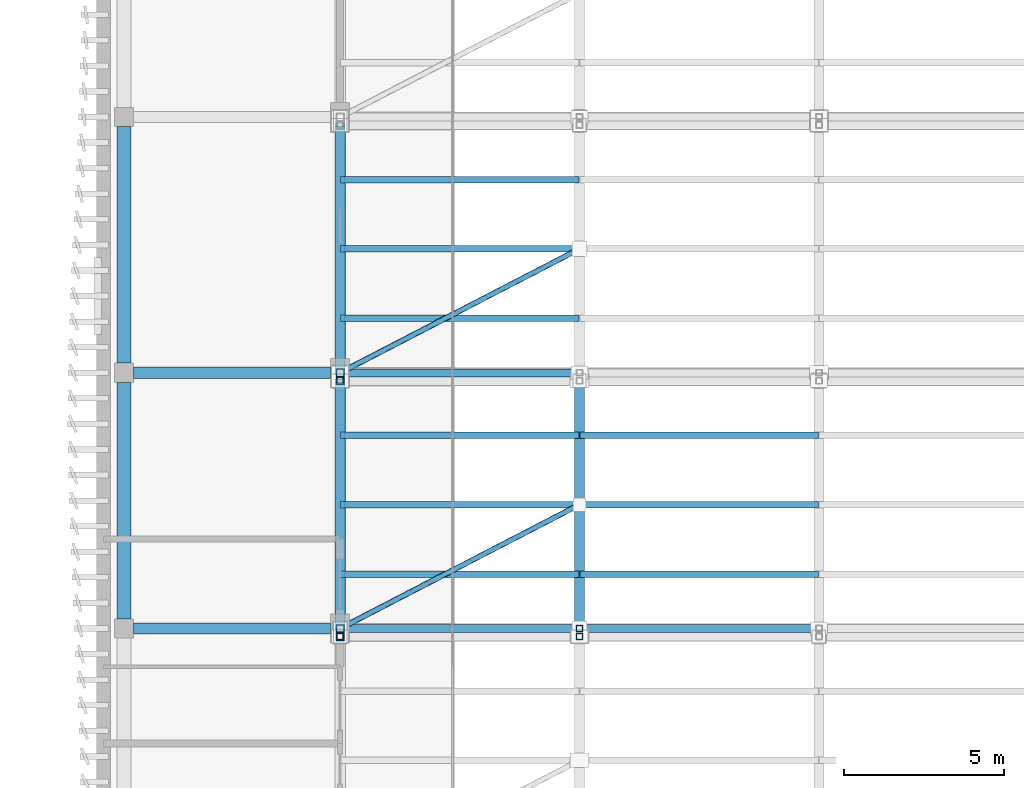
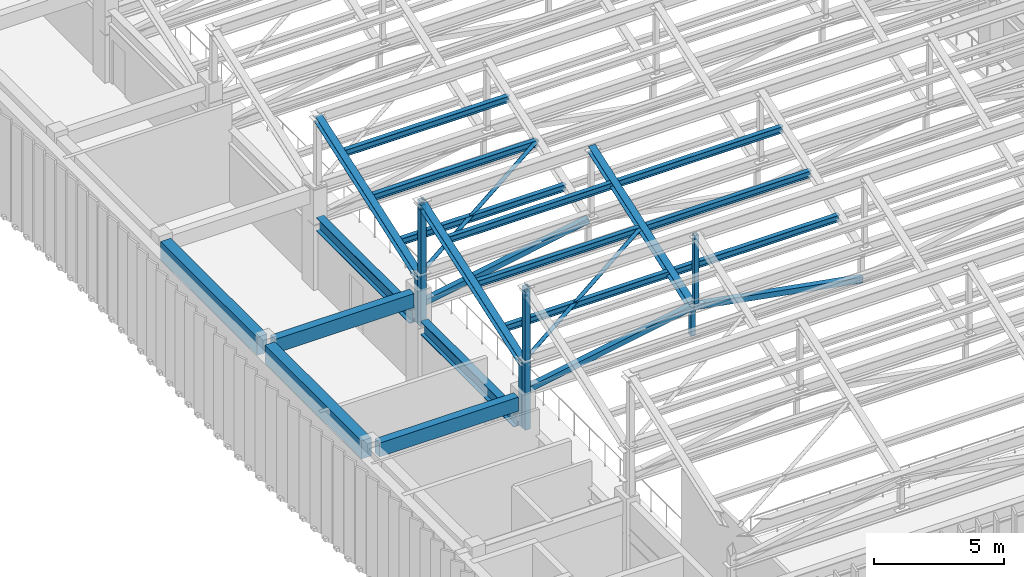
# One storey, part 5 of 76: 25 members, 6 beams.
"""IFC4 building model written with IfcOpenShell, lengths in metres."""

import ifcopenshell
import ifcopenshell.guid

model = None  # the IFC model being written
_history = None  # IfcOwnerHistory: only IFC2X3 demands one
_inside = {}  # id of a spatial element -> (the spatial element, [elements in it])
_under = {}  # id of a project, library or spatial element -> (it, [spatial elements below it])
_declared = {}  # id of a project -> (the project, [libraries it declares])
_typed = {}  # id of a type object -> (the type object, [elements of that type])
_made_of = {}  # id of a material, layer set ... -> (it, [elements and type objects made of it])


def new_model(schema):
    """Start an empty IFC model of exactly this schema.

    Asked for "IFC4X3", IfcOpenShell would pick the latest addendum, in which some entities
    have other attributes; the version numbers below select the first issue.
    IFC2X3 requires an IfcOwnerHistory on every rooted entity: one is made here for all.
    """
    global model, _history
    if schema == "IFC4X3":
        model = ifcopenshell.file(schema_version=(4, 3, 0, 0))
    else:
        model = ifcopenshell.file(schema=schema)
    _inside.clear()
    _under.clear()
    _declared.clear()
    _typed.clear()
    _made_of.clear()
    _history = None
    if model.schema == "IFC2X3":
        org = make("IfcOrganization", Name="unknown")
        user = make(
            "IfcPersonAndOrganization",
            ThePerson=make("IfcPerson", FamilyName="unknown"),
            TheOrganization=org,
        )
        app = make(
            "IfcApplication",
            ApplicationDeveloper=org,
            Version="unknown",
            ApplicationFullName="unknown",
            ApplicationIdentifier="unknown",
        )
        _history = make(
            "IfcOwnerHistory",
            OwningUser=user,
            OwningApplication=app,
            ChangeAction="ADDED",
            CreationDate=0,
        )
    return model


def make(cls, **values):
    """One entity of the class cls with the attributes given. An attribute that is None is left unset."""
    return model.create_entity(
        cls, **{name: value for name, value in values.items() if value is not None}
    )


def rooted(cls, **values):
    """An entity with a GlobalId (a new one), such as an element, a storey or a relation."""
    return make(cls, GlobalId=ifcopenshell.guid.new(), OwnerHistory=_history, **values)


def si_unit(unit_type, name, prefix=None):
    """IfcSIUnit, for example si_unit("LENGTHUNIT", "METRE", prefix="MILLI")."""
    return make("IfcSIUnit", UnitType=unit_type, Prefix=prefix, Name=name)


def assignment(units):
    """IfcUnitAssignment: the units of a project."""
    return None if units is None else make("IfcUnitAssignment", Units=units)


def point(xyz):
    """IfcCartesianPoint."""
    return None if xyz is None else make("IfcCartesianPoint", Coordinates=xyz)


def direction(xyz):
    """IfcDirection."""
    return None if xyz is None else make("IfcDirection", DirectionRatios=xyz)


def frame(location, z_axis=None, x_axis=None):
    """IfcAxis2Placement3D, a coordinate frame: its origin and axes. An axis left out is left unset."""
    return make(
        "IfcAxis2Placement3D",
        Location=point(location),
        Axis=direction(z_axis),
        RefDirection=direction(x_axis),
    )


def frame_2d(location, x_axis=None):
    """IfcAxis2Placement2D, a coordinate frame in the plane: its origin and x axis."""
    return make(
        "IfcAxis2Placement2D", Location=point(location), RefDirection=direction(x_axis)
    )


def origin():
    """The frame at (0, 0, 0) with its axes left unset."""
    return frame((0.0, 0.0, 0.0))


def origin_2d():
    """The frame at (0, 0) in the plane with its x axis left unset."""
    return frame_2d((0.0, 0.0))


def place(relative_to, where):
    """IfcLocalPlacement: puts the frame where relative to a parent placement (None: the world)."""
    return make(
        "IfcLocalPlacement", PlacementRelTo=relative_to, RelativePlacement=where
    )


def context(
    kind, dimensions, precision=None, world=None, true_north=None, identifier=None
):
    """IfcGeometricRepresentationContext, for example the 3D "Model" context."""
    return make(
        "IfcGeometricRepresentationContext",
        ContextIdentifier=identifier,
        ContextType=kind,
        CoordinateSpaceDimension=dimensions,
        Precision=precision,
        WorldCoordinateSystem=world,
        TrueNorth=true_north,
    )


def subcontext(parent, identifier, kind, view, scale=None):
    """IfcGeometricRepresentationSubContext, for example "Body" below "Model"."""
    return make(
        "IfcGeometricRepresentationSubContext",
        ContextIdentifier=identifier,
        ContextType=kind,
        ParentContext=parent,
        TargetScale=scale,
        TargetView=view,
    )


def project(units=None, contexts=None):
    """IfcProject with its units and contexts."""
    return rooted(
        "IfcProject",
        Name="project",
        RepresentationContexts=contexts,
        UnitsInContext=assignment(units),
    )


def spatial(cls, under=None, at=None, **own):
    """A site, building, storey or space (cls), placed at a placement, below another one or the project."""
    s = rooted(cls, ObjectPlacement=at, **own)
    if under is not None:
        _under.setdefault(under.id(), (under, []))[1].append(s)
    return s


def profile(cls, at=None, kind="AREA", **sizes):
    """A parametric profile (cls). Its sizes go by their IFC names, for example OverallWidth=200.0."""
    return make(cls, ProfileType=kind, Position=at, **sizes)


def rectangle(**sizes):
    """IfcRectangleProfileDef."""
    return profile("IfcRectangleProfileDef", **sizes)


def hollow_rectangle(**sizes):
    """IfcRectangleHollowProfileDef."""
    return profile("IfcRectangleHollowProfileDef", **sizes)


def hollow_circle(**sizes):
    """IfcCircleHollowProfileDef."""
    return profile("IfcCircleHollowProfileDef", **sizes)


def i_section(**sizes):
    """IfcIShapeProfileDef."""
    return profile("IfcIShapeProfileDef", **sizes)


def extrude(swept, where, along, depth):
    """IfcExtrudedAreaSolid: the profile swept, set in the frame where, extruded along a direction by depth."""
    return make(
        "IfcExtrudedAreaSolid",
        SweptArea=swept,
        Position=where,
        ExtrudedDirection=direction(along),
        Depth=depth,
    )


def shape(context_of_items, identifier, shape_type, items):
    """IfcShapeRepresentation: the items that make up one representation, for example the "Body"."""
    return make(
        "IfcShapeRepresentation",
        ContextOfItems=context_of_items,
        RepresentationIdentifier=identifier,
        RepresentationType=shape_type,
        Items=items,
    )


def material(Name=None, Category=None):
    """IfcMaterial."""
    return make("IfcMaterial", Name=Name, Category=Category)


def material_profile(
    of_material, cross_section, Name=None, Category=None, Priority=None
):
    """IfcMaterialProfile: a cross section and its material."""
    return make(
        "IfcMaterialProfile",
        Name=Name,
        Material=of_material,
        Profile=cross_section,
        Priority=Priority,
        Category=Category,
    )


def profile_set(profiles, Name=None, composite=None):
    """IfcMaterialProfileSet."""
    return make(
        "IfcMaterialProfileSet",
        Name=Name,
        MaterialProfiles=profiles,
        CompositeProfile=composite,
    )


def made_of(thing, what):
    """Note that an element or type object is made of a material, layer set ...; save() writes the relation."""
    if what is not None:
        _made_of.setdefault(what.id(), (what, []))[1].append(thing)
    return thing


def type_object(cls, material=None, **own):
    """A type object (cls), such as IfcWallType, which elements share."""
    return made_of(rooted(cls, **own), material)


def element(
    cls,
    number,
    at=None,
    inside=None,
    cuts=None,
    type_object=None,
    material=None,
    context=None,
    identifier="Body",
    shape_type=None,
    held_by="IfcProductDefinitionShape",
    body=None,
    shapes=None,
    **own,
):
    """One element of the class cls, such as IfcWall. Its Tag is "e" and its number.

    at: its placement. inside: the storey or other place that contains it. cuts: it is an
    opening in that element (IfcRelVoidsElement). A single representation is given by context,
    identifier, shape_type and body (its items); several are given by shapes. held_by: the class
    of the entity that holds the representations. save() writes the other relations.
    """
    e = rooted(cls, Tag="e%d" % number, ObjectPlacement=at, **own)
    if body is not None:
        shapes = [shape(context, identifier, shape_type, body)]
    if shapes is not None:
        e.Representation = make(held_by, Representations=shapes)
    if inside is not None:
        _inside.setdefault(inside.id(), (inside, []))[1].append(e)
    if cuts is not None:
        rooted(
            "IfcRelVoidsElement", RelatingBuildingElement=cuts, RelatedOpeningElement=e
        )
    if type_object is not None:
        _typed.setdefault(type_object.id(), (type_object, []))[1].append(e)
    return made_of(e, material)


def aggregate(whole, parts):
    """IfcRelAggregates: a whole, such as a stair, and the parts it consists of."""
    return rooted("IfcRelAggregates", RelatingObject=whole, RelatedObjects=parts)


def save(model, path):
    """Write the relations noted so far, then the file.

    IfcRelAggregates (storeys below a building ...), IfcRelContainedInSpatialStructure (elements
    in a storey), IfcRelDefinesByType, IfcRelAssociatesMaterial and IfcRelDeclares: one each for
    every whole, place, type object, material and project.
    """
    for whole, parts in _under.values():
        aggregate(whole, parts)
    for where, things in _inside.values():
        rooted(
            "IfcRelContainedInSpatialStructure",
            RelatedElements=things,
            RelatingStructure=where,
        )
    for kind, things in _typed.values():
        rooted("IfcRelDefinesByType", RelatedObjects=things, RelatingType=kind)
    for what, things in _made_of.values():
        rooted("IfcRelAssociatesMaterial", RelatedObjects=things, RelatingMaterial=what)
    for by, libraries in _declared.values():
        rooted("IfcRelDeclares", RelatingContext=by, RelatedDefinitions=libraries)
    model.write(path)


model = new_model("IFC4")

# Units and contexts
model_context = context("Model", 3, precision=1e-05, world=origin(), true_north=direction((0.0, 1.0)))
body_context = subcontext(model_context, "Body", "Model", "MODEL_VIEW")
ifc_project = project(units=[si_unit("LENGTHUNIT", "METRE"), si_unit("AREAUNIT", "SQUARE_METRE"), si_unit("VOLUMEUNIT", "CUBIC_METRE"), si_unit("PLANEANGLEUNIT", "RADIAN"), si_unit("MASSUNIT", "GRAM", prefix="KILO")], contexts=[model_context])

# Site, building, storey
site_placement = place(None, origin())
site = spatial("IfcSite", under=ifc_project, at=site_placement, CompositionType="ELEMENT")
building_placement = place(site_placement, origin())
building = spatial("IfcBuilding", under=site, at=building_placement, Name="Cinchona Park Media Centre", CompositionType="ELEMENT")
storey_placement = place(building_placement, frame((0.0, 0.0, 15.60009765625)))
storey = spatial("IfcBuildingStorey", under=building, at=storey_placement, Name="L03", CompositionType="ELEMENT", Elevation=15.60009765625)

# Beams
ifc_material_1 = material(Name="Concrete C35/45", Category="concrete")
ifc_material_profile_1 = material_profile(ifc_material_1, rectangle(XDim=0.449951171875, YDim=0.85009765625, at=origin_2d()), Name="RB 450X850")
ifc_profile_set_1 = profile_set([ifc_material_profile_1], Name="Concrete C35/45")
beam_type_1 = type_object("IfcBeamType", Name="BEAM-B02-RB450X850", PredefinedType="BEAM", material=ifc_profile_set_1)
for number, where, z_axis, x_axis, name in (
    (1, (8.639892578125, 23.89990234375, 4.1298828125), (0.0, 1.0, 0.0), (-1.0, 0.0, 0.0), "Girder B02 L03"),
    (2, (8.639892578125, 31.89990234375, 4.1298828125), (0.0, 1.0, 0.0), (-1.0, 0.0, 0.0), "Girder B02 L03"),
):
    element("IfcBeam", number, at=place(storey_placement, frame(where, z_axis=z_axis, x_axis=x_axis)), inside=storey, type_object=beam_type_1, Name=name, PredefinedType="BEAM", context=body_context, shape_type="SweptSolid", body=[
        extrude(rectangle(XDim=0.449951171875, YDim=0.85009765625, at=origin_2d()), origin(), (0.0, 0.0, 1.0), 7.400146484375),
    ])
ifc_material_2 = material(Name="Concrete C35/45", Category="concrete")
ifc_material_profile_2 = material_profile(ifc_material_2, rectangle(XDim=0.35009765625, YDim=0.64990234375, at=origin_2d()), Name="RB 350X650")
ifc_profile_set_2 = profile_set([ifc_material_profile_2], Name="Concrete C35/45")
beam_type_2 = type_object("IfcBeamType", Name="BEAM-B04-RB350X650", PredefinedType="BEAM", material=ifc_profile_set_2)
for number, where, z_axis, x_axis, name in (
    (3, (8.93994140625, 23.60009765625, 4.22998046875), (1.0, 0.0, 0.0), (0.0, 1.0, 0.0), "Beam B04 L03"),
    (4, (8.93994140625, 31.60009765625, 4.22998046875), (1.0, 0.0, 0.0), (0.0, 1.0, 0.0), "Beam B04 L03"),
):
    element("IfcBeam", number, at=place(storey_placement, frame(where, z_axis=z_axis, x_axis=x_axis)), inside=storey, type_object=beam_type_2, Name=name, PredefinedType="BEAM", context=body_context, shape_type="SweptSolid", body=[
        extrude(rectangle(XDim=0.35009765625, YDim=0.64990234375, at=origin_2d()), origin(), (0.0, 0.0, 1.0), 6.16015625),
    ])
ifc_material_3 = material(Name="Steel S355", Category="steel")
ifc_material_profile_3 = material_profile(ifc_material_3, i_section(OverallWidth=0.3291015625, OverallDepth=0.635009765625, WebThickness=0.017822265625, FlangeThickness=0.031005859375, at=origin_2d()), Name="W610X241")
ifc_profile_set_3 = profile_set([ifc_material_profile_3], Name="Steel S355")
beam_type_3 = type_object("IfcBeamType", Name="BEAM-B05-W610X241", PredefinedType="BEAM", material=ifc_profile_set_3)
for number, where, z_axis, x_axis, name in (
    (5, (15.39990234375, 24.02001953125, 3.0498046875), (0.0, 1.0, 0.0), (-1.0, 0.0, 0.0), "Sawtooth Valley Edge Girder B05 V1"),
    (6, (15.39990234375, 32.02001953125, 3.0498046875), (0.0, 1.0, 0.0), (-1.0, 0.0, 0.0), "Sawtooth Valley Edge Girder B05 V1"),
):
    element("IfcBeam", number, at=place(storey_placement, frame(where, z_axis=z_axis, x_axis=x_axis)), inside=storey, type_object=beam_type_3, Name=name, PredefinedType="BEAM", context=body_context, shape_type="SweptSolid", body=[
        extrude(i_section(OverallWidth=0.3291015625, OverallDepth=0.635009765625, WebThickness=0.017822265625, FlangeThickness=0.031005859375, at=origin_2d()), origin(), (0.0, 0.0, 1.0), 7.159912109375),
    ])

# Members
ifc_material_4 = material(Name="Steel S355", Category="steel")
ifc_material_profile_4 = material_profile(ifc_material_4, hollow_circle(Radius=0.084228515625, WallThickness=0.010009765625, at=origin_2d()), Name="168.3X10CHS")
ifc_profile_set_4 = profile_set([ifc_material_profile_4], Name="Steel S355")
member_type_1 = type_object("IfcMemberType", Name="MEMBER-BR03-CHS168.3X10", PredefinedType="BRACE", material=ifc_profile_set_4)
for number, where, z_axis, x_axis, name in (
    (7, (15.39990234375, 23.60009765625, 6.0), (0.877011461812, 0.453728150262, 0.158055880973), (-0.459504038406, 0.888175680082, 0.0), "Sawtooth Roof Wind Brace V1 Bay 3"),
    (8, (15.39990234375, 31.60009765625, 5.199951171875), (0.877011461812, 0.453728150262, 0.158055880973), (-0.459504038406, 0.888175680082, 0.0), "Sawtooth Roof Wind Brace V1 Bay 4"),
):
    element("IfcMember", number, at=place(storey_placement, frame(where, z_axis=z_axis, x_axis=x_axis)), inside=storey, type_object=member_type_1, Name=name, PredefinedType="BRACE", context=body_context, shape_type="SweptSolid", body=[
        extrude(hollow_circle(Radius=0.084228515625, WallThickness=0.010009765625, at=origin_2d()), origin(), (0.0, 0.0, 1.0), 8.540283203125),
    ])
ifc_material_5 = material(Name="Steel S355", Category="steel")
ifc_material_profile_5 = material_profile(ifc_material_5, i_section(OverallWidth=0.202880859375, OverallDepth=0.302978515625, WebThickness=0.007568359375, FlangeThickness=0.01318359375, at=origin_2d()), Name="W310X60")
ifc_profile_set_5 = profile_set([ifc_material_profile_5], Name="Steel S355")
member_type_2 = type_object("IfcMemberType", Name="MEMBER-PR01-W310X60", PredefinedType="PURLIN", material=ifc_profile_set_5)
member_1_placement = place(storey_placement, frame((15.409912109375, 25.304931640625, 6.512451171875), z_axis=(1.0, 0.0, 0.0), x_axis=(0.0, 1.0, 0.0)))
element("IfcMember", 9, at=member_1_placement, inside=storey, type_object=member_type_2, Name="Sawtooth Roof Purlin PR01", PredefinedType="PURLIN", context=body_context, shape_type="SweptSolid", body=[
    extrude(i_section(OverallWidth=0.202880859375, OverallDepth=0.302978515625, WebThickness=0.007568359375, FlangeThickness=0.01318359375, at=origin_2d()), origin(), (0.0, 0.0, 1.0), 7.469970703125),
])
member_2_placement = place(storey_placement, frame((22.89990234375, 25.304931640625, 6.512451171875), z_axis=(1.0, 0.0, 0.0), x_axis=(0.0, 1.0, 0.0)))
element("IfcMember", 10, at=member_2_placement, inside=storey, type_object=member_type_2, Name="Sawtooth Roof Purlin PR01", PredefinedType="PURLIN", context=body_context, shape_type="SweptSolid", body=[
    extrude(i_section(OverallWidth=0.202880859375, OverallDepth=0.302978515625, WebThickness=0.007568359375, FlangeThickness=0.01318359375, at=origin_2d()), origin(), (0.0, 0.0, 1.0), 7.47021484375),
])
member_3_placement = place(storey_placement, frame((15.409912109375, 27.47509765625, 7.268310546875), z_axis=(1.0, 0.0, 0.0), x_axis=(0.0, 1.0, 0.0)))
element("IfcMember", 11, at=member_3_placement, inside=storey, type_object=member_type_2, Name="Sawtooth Roof Purlin PR01", PredefinedType="PURLIN", context=body_context, shape_type="SweptSolid", body=[
    extrude(i_section(OverallWidth=0.202880859375, OverallDepth=0.302978515625, WebThickness=0.007568359375, FlangeThickness=0.01318359375, at=origin_2d()), origin(), (0.0, 0.0, 1.0), 7.469970703125),
])
member_4_placement = place(storey_placement, frame((22.89990234375, 27.47509765625, 7.268310546875), z_axis=(1.0, 0.0, 0.0), x_axis=(0.0, 1.0, 0.0)))
element("IfcMember", 12, at=member_4_placement, inside=storey, type_object=member_type_2, Name="Sawtooth Roof Purlin PR01", PredefinedType="PURLIN", context=body_context, shape_type="SweptSolid", body=[
    extrude(i_section(OverallWidth=0.202880859375, OverallDepth=0.302978515625, WebThickness=0.007568359375, FlangeThickness=0.01318359375, at=origin_2d()), origin(), (0.0, 0.0, 1.0), 7.47021484375),
])
member_5_placement = place(storey_placement, frame((15.409912109375, 29.64501953125, 8.0244140625), z_axis=(1.0, 0.0, 0.0), x_axis=(0.0, 1.0, 0.0)))
element("IfcMember", 13, at=member_5_placement, inside=storey, type_object=member_type_2, Name="Sawtooth Roof Purlin PR01", PredefinedType="PURLIN", context=body_context, shape_type="SweptSolid", body=[
    extrude(i_section(OverallWidth=0.202880859375, OverallDepth=0.302978515625, WebThickness=0.007568359375, FlangeThickness=0.01318359375, at=origin_2d()), origin(), (0.0, 0.0, 1.0), 7.469970703125),
])
member_6_placement = place(storey_placement, frame((22.89990234375, 29.64501953125, 8.0244140625), z_axis=(1.0, 0.0, 0.0), x_axis=(0.0, 1.0, 0.0)))
element("IfcMember", 14, at=member_6_placement, inside=storey, type_object=member_type_2, Name="Sawtooth Roof Purlin PR01", PredefinedType="PURLIN", context=body_context, shape_type="SweptSolid", body=[
    extrude(i_section(OverallWidth=0.202880859375, OverallDepth=0.302978515625, WebThickness=0.007568359375, FlangeThickness=0.01318359375, at=origin_2d()), origin(), (0.0, 0.0, 1.0), 7.47021484375),
])
for number, where, z_axis, x_axis, name in (
    (15, (15.409912109375, 33.304931640625, 5.71240234375), (1.0, 0.0, 0.0), (0.0, 1.0, 0.0), "Sawtooth Roof Purlin PR01"),
    (16, (15.409912109375, 35.47509765625, 6.468505859375), (1.0, 0.0, 0.0), (0.0, 1.0, 0.0), "Sawtooth Roof Purlin PR01"),
    (17, (15.409912109375, 37.64501953125, 7.224365234375), (1.0, 0.0, 0.0), (0.0, 1.0, 0.0), "Sawtooth Roof Purlin PR01"),
):
    element("IfcMember", number, at=place(storey_placement, frame(where, z_axis=z_axis, x_axis=x_axis)), inside=storey, type_object=member_type_2, Name=name, PredefinedType="PURLIN", context=body_context, shape_type="SweptSolid", body=[
        extrude(i_section(OverallWidth=0.202880859375, OverallDepth=0.302978515625, WebThickness=0.007568359375, FlangeThickness=0.01318359375, at=origin_2d()), origin(), (0.0, 0.0, 1.0), 7.469970703125),
    ])
ifc_material_6 = material(Name="Steel S355", Category="steel")
ifc_material_profile_6 = material_profile(ifc_material_6, hollow_rectangle(XDim=0.199951171875, YDim=0.199951171875, WallThickness=0.012451171875, at=origin_2d()), Name="200X200X12.5SHS")
ifc_profile_set_6 = profile_set([ifc_material_profile_6], Name="Steel S355")
member_type_3 = type_object("IfcMemberType", Name="MEMBER-TS01-SHS200X200X12.5", PredefinedType="STRUT", material=ifc_profile_set_6)
for number, where, z_axis, x_axis, name in (
    (18, (15.39990234375, 23.35009765625, 6.2998046875), (0.0, 0.0, 1.0), (1.0, 0.0, 0.0), "ROOF TRUSS Monitor Post V1 Bay 2"),
    (19, (22.889892578125, 23.35009765625, 6.2998046875), (0.0, 0.0, 1.0), (1.0, 0.0, 0.0), "ROOF TRUSS Monitor Post V1 Bay 2"),
):
    element("IfcMember", number, at=place(storey_placement, frame(where, z_axis=z_axis, x_axis=x_axis)), inside=storey, type_object=member_type_3, Name=name, PredefinedType="STRUT", context=body_context, shape_type="SweptSolid", body=[
        extrude(hollow_rectangle(XDim=0.199951171875, YDim=0.199951171875, WallThickness=0.012451171875, at=origin_2d()), origin(), (0.0, 0.0, 1.0), 3.2001953125),
    ])
member_7_placement = place(storey_placement, frame((22.889892578125, 23.60009765625, 4.64990234375), z_axis=(0.0, 0.0, 1.0), x_axis=(1.0, 0.0, 0.0)))
element("IfcMember", 20, at=member_7_placement, inside=storey, type_object=member_type_3, Name="ROOF TRUSS Vertical Strut TN1", PredefinedType="STRUT", context=body_context, shape_type="SweptSolid", body=[
    extrude(hollow_rectangle(XDim=0.199951171875, YDim=0.199951171875, WallThickness=0.012451171875, at=origin_2d()), origin(), (0.0, 0.0, 1.0), 1.35009765625),
])
member_8_placement = place(storey_placement, frame((15.39990234375, 31.35009765625, 5.5), z_axis=(0.0, 0.0, 1.0), x_axis=(1.0, 0.0, 0.0)))
element("IfcMember", 21, at=member_8_placement, inside=storey, type_object=member_type_3, Name="ROOF TRUSS Monitor Post V1 Bay 3", PredefinedType="STRUT", context=body_context, shape_type="SweptSolid", body=[
    extrude(hollow_rectangle(XDim=0.199951171875, YDim=0.199951171875, WallThickness=0.012451171875, at=origin_2d()), origin(), (0.0, 0.0, 1.0), 3.199951171875),
])
ifc_material_7 = material(Name="Steel S355", Category="steel")
ifc_material_profile_7 = material_profile(ifc_material_7, hollow_rectangle(XDim=0.25, YDim=0.25, WallThickness=0.01611328125, at=origin_2d()), Name="250X250X16SHS")
ifc_profile_set_7 = profile_set([ifc_material_profile_7], Name="Steel S355")
member_type_4 = type_object("IfcMemberType", Name="MEMBER-TS02-SHS250X250X16", PredefinedType="STRUT", material=ifc_profile_set_7)
member_9_placement = place(storey_placement, frame((15.39990234375, 23.35009765625, 3.0498046875), z_axis=(0.0, 0.0, 1.0), x_axis=(1.0, 0.0, 0.0)))
element("IfcMember", 22, at=member_9_placement, inside=storey, type_object=member_type_4, Name="Sawtooth Bearing Post TS02 V1 B2", PredefinedType="STRUT", context=body_context, shape_type="SweptSolid", body=[
    extrude(hollow_rectangle(XDim=0.25, YDim=0.25, WallThickness=0.01611328125, at=origin_2d()), origin(), (0.0, 0.0, 1.0), 6.64013671875),
])
member_10_placement = place(storey_placement, frame((15.39990234375, 23.60009765625, 3.0498046875), z_axis=(0.0, 0.0, 1.0), x_axis=(1.0, 0.0, 0.0)))
element("IfcMember", 23, at=member_10_placement, inside=storey, type_object=member_type_4, Name="Sawtooth Bearing Post TS02 V1 B3", PredefinedType="STRUT", context=body_context, shape_type="SweptSolid", body=[
    extrude(hollow_rectangle(XDim=0.25, YDim=0.25, WallThickness=0.01611328125, at=origin_2d()), origin(), (0.0, 0.0, 1.0), 3.14013671875),
])
member_11_placement = place(storey_placement, frame((15.39990234375, 31.35009765625, 3.0498046875), z_axis=(0.0, 0.0, 1.0), x_axis=(1.0, 0.0, 0.0)))
element("IfcMember", 24, at=member_11_placement, inside=storey, type_object=member_type_4, Name="Sawtooth Bearing Post TS02 V1 B3", PredefinedType="STRUT", context=body_context, shape_type="SweptSolid", body=[
    extrude(hollow_rectangle(XDim=0.25, YDim=0.25, WallThickness=0.01611328125, at=origin_2d()), origin(), (0.0, 0.0, 1.0), 5.840087890625),
])
for number, where, z_axis, x_axis, name in (
    (25, (15.39990234375, 23.60009765625, 4.64990234375), (0.984139781218, 0.0, 0.177394732232), (0.0, 1.0, 0.0), "ROOF TRUSS Web Diagonal TN1"),
    (26, (22.889892578125, 23.60009765625, 6.0), (0.984139781218, 0.0, -0.177394732232), (0.0, 1.0, 0.0), "ROOF TRUSS Web Diagonal TN2"),
):
    element("IfcMember", number, at=place(storey_placement, frame(where, z_axis=z_axis, x_axis=x_axis)), inside=storey, type_object=member_type_4, Name=name, PredefinedType="STRUT", context=body_context, shape_type="SweptSolid", body=[
        extrude(hollow_rectangle(XDim=0.25, YDim=0.25, WallThickness=0.01611328125, at=origin_2d()), origin(), (0.0, 0.0, 1.0), 7.610595703125),
    ])
member_12_placement = place(storey_placement, frame((15.39990234375, 31.60009765625, 3.0498046875), z_axis=(0.0, 0.0, 1.0), x_axis=(1.0, 0.0, 0.0)))
element("IfcMember", 27, at=member_12_placement, inside=storey, type_object=member_type_4, Name="Sawtooth Bearing Post TS02 V1 B4", PredefinedType="STRUT", context=body_context, shape_type="SweptSolid", body=[
    extrude(hollow_rectangle(XDim=0.25, YDim=0.25, WallThickness=0.01611328125, at=origin_2d()), origin(), (0.0, 0.0, 1.0), 2.340087890625),
])
member_13_placement = place(storey_placement, frame((15.39990234375, 31.60009765625, 3.849853515625), z_axis=(0.984139781218, 0.0, 0.177394732232), x_axis=(0.0, 1.0, 0.0)))
element("IfcMember", 28, at=member_13_placement, inside=storey, type_object=member_type_4, Name="ROOF TRUSS Web Diagonal TN1", PredefinedType="STRUT", context=body_context, shape_type="SweptSolid", body=[
    extrude(hollow_rectangle(XDim=0.25, YDim=0.25, WallThickness=0.01611328125, at=origin_2d()), origin(), (0.0, 0.0, 1.0), 7.610595703125),
])
ifc_material_8 = material(Name="Steel S355", Category="steel")
ifc_material_profile_8 = material_profile(ifc_material_8, i_section(OverallWidth=0.304931640625, OverallDepth=0.30810546875, WebThickness=0.010009765625, FlangeThickness=0.015380859375, at=origin_2d()), Name="W310X97")
ifc_profile_set_8 = profile_set([ifc_material_profile_8], Name="Steel S355")
member_type_5 = type_object("IfcMemberType", Name="MEMBER-TS06-W310X97", PredefinedType="STRUT", material=ifc_profile_set_8)
for number, where, z_axis, x_axis, name in (
    (29, (15.39990234375, 23.60009765625, 6.0), (0.0, 0.944334143314, 0.328987880888), (-1.0, 0.0, 0.0), "ROOF TRUSS Sawtooth Rafter V1 Bay 3"),
    (30, (22.889892578125, 23.60009765625, 6.0), (0.0, 0.944334143314, 0.328987880888), (-1.0, 0.0, 0.0), "ROOF TRUSS Sawtooth Rafter V1 Bay 3"),
    (31, (15.39990234375, 31.60009765625, 5.199951171875), (0.0, 0.944334143314, 0.328987880888), (-1.0, 0.0, 0.0), "ROOF TRUSS Sawtooth Rafter V1 Bay 4"),
):
    element("IfcMember", number, at=place(storey_placement, frame(where, z_axis=z_axis, x_axis=x_axis)), inside=storey, type_object=member_type_5, Name=name, PredefinedType="STRUT", context=body_context, shape_type="SweptSolid", body=[
        extrude(i_section(OverallWidth=0.304931640625, OverallDepth=0.30810546875, WebThickness=0.010009765625, FlangeThickness=0.015380859375, at=origin_2d()), origin(), (0.0, 0.0, 1.0), 8.206787109375),
    ])

save(model, "model.ifc")
